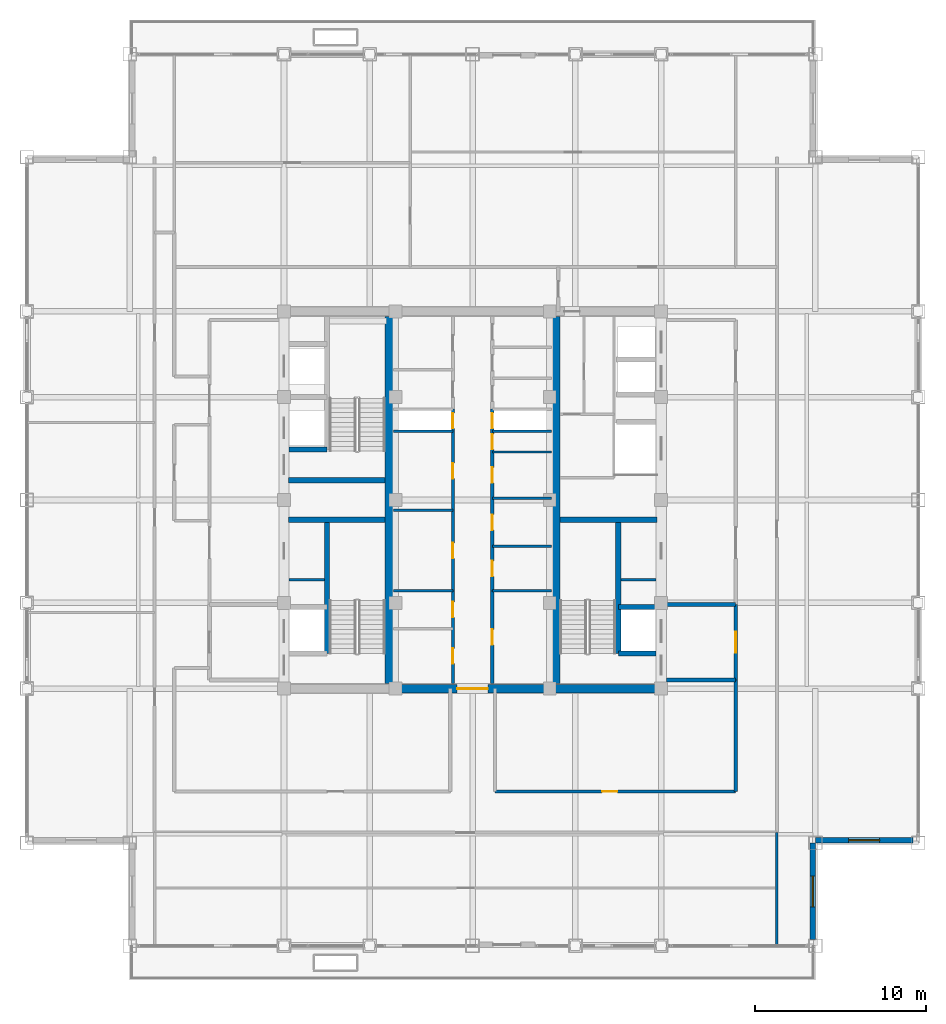
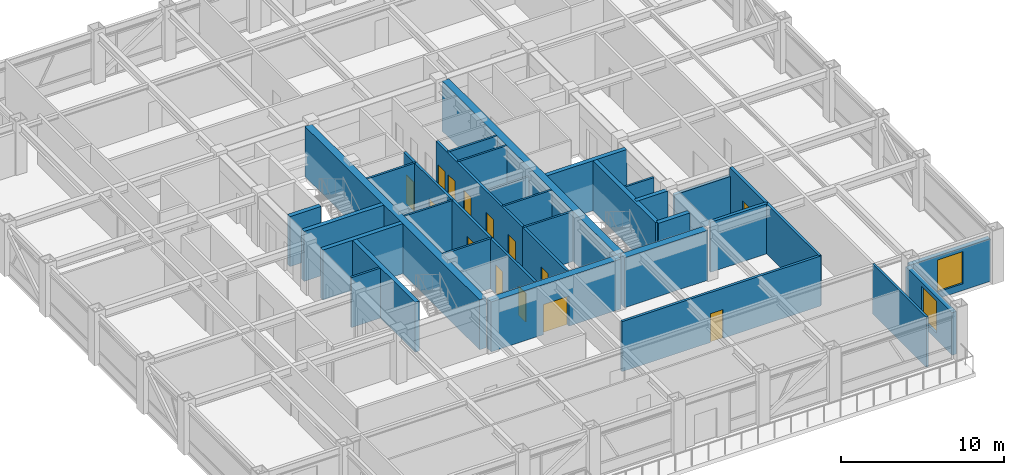
# One storey, part 25 of 30: 34 walls, 14 doors, 2 windows, 16 openings.
"""IFC4 building model written with IfcOpenShell, lengths in metres."""

from ifc_helpers import new_model, si_unit, direction, frame, frame_2d, origin, place, context, subcontext, project, spatial, rectangle, extrude, source, transform, mapped, material, layer, layer_set, type_object, element, fill, save


model = new_model("IFC4")

# Units and contexts
model_context = context("Model", 3, precision=1e-05, world=origin(), true_north=direction((0.0, 1.0)))
body_context = subcontext(model_context, "Body", "Model", "MODEL_VIEW")
ifc_project = project(units=[si_unit("LENGTHUNIT", "METRE"), si_unit("AREAUNIT", "SQUARE_METRE"), si_unit("VOLUMEUNIT", "CUBIC_METRE"), si_unit("PLANEANGLEUNIT", "RADIAN"), si_unit("MASSUNIT", "GRAM", prefix="KILO")], contexts=[model_context])

# Site, building, storey
site_placement = place(None, origin())
site = spatial("IfcSite", under=ifc_project, at=site_placement, CompositionType="ELEMENT")
building_placement = place(site_placement, origin())
building = spatial("IfcBuilding", under=site, at=building_placement, Name="Khorayat Bourse Tower", CompositionType="ELEMENT")
storey_placement = place(building_placement, frame((0.0, 0.0, 326.300048828125)))
storey = spatial("IfcBuildingStorey", under=building, at=storey_placement, Name="L77", CompositionType="ELEMENT", Elevation=326.300048828125)

# Walls
ifc_material_1 = material(Name="Concrete C52/65", Category="concrete")
ifc_layer_1 = layer(ifc_material_1, 0.5)
ifc_layer_set_1 = layer_set([ifc_layer_1], Name="Concrete C52/65")
wall_type_1 = type_object("IfcWallType", Name="WAL-CORE-500", PredefinedType="SHEAR", material=ifc_layer_set_1)
shared_shape_1 = source(origin(), body_context, "Body", "SweptSolid", [
    extrude(rectangle(XDim=21.39990234375, YDim=0.5, at=frame_2d((10.699951171875, 0.0))), origin(), (0.0, 0.0, 1.0), 3.739990234375),
])
for number, where, z_axis, x_axis, name in (
    (1, (-4.85009765625, -10.699951171875, 0.0), (0.0, 0.0, 1.0), (0.0, 1.0, 0.0), "L77 Core Shear Wall PIER-W"),
    (2, (4.85009765625, -10.699951171875, 0.0), (0.0, 0.0, 1.0), (0.0, 1.0, 0.0), "L77 Core Shear Wall PIER-E"),
):
    element("IfcWall", number, at=place(storey_placement, frame(where, z_axis=z_axis, x_axis=x_axis)), inside=storey, type_object=wall_type_1, Name=name, PredefinedType="SHEAR", context=body_context, shape_type="MappedRepresentation", body=[
        mapped(shared_shape_1, transform((0.0, 0.0, 0.0), scale=1.0)),
    ])
shared_shape_2 = source(origin(), body_context, "Body", "SweptSolid", [
    extrude(rectangle(XDim=5.89990234375, YDim=0.5, at=frame_2d((2.949951171875, 0.0))), origin(), (0.0, 0.0, 1.0), 3.739990234375),
])
wall_1_placement = place(storey_placement, frame((4.85009765625, -11.0, 0.0), z_axis=(0.0, 0.0, 1.0), x_axis=(1.0, 0.0, 0.0)))
element("IfcWall", 3, at=wall_1_placement, inside=storey, type_object=wall_type_1, Name="L77 Core Shear Wall PIER-ES", PredefinedType="SHEAR", context=body_context, shape_type="MappedRepresentation", body=[
    mapped(shared_shape_2, transform((0.0, 0.0, 0.0), scale=1.0)),
])
ifc_material_2 = material(Name="Concrete C50/60", Category="concrete")
ifc_layer_2 = layer(ifc_material_2, 0.300048828125)
ifc_layer_set_2 = layer_set([ifc_layer_2], Name="Concrete C50/60")
wall_type_2 = type_object("IfcWallType", Name="WAL-SHAFT-300", PredefinedType="SHEAR", material=ifc_layer_set_2)
shared_shape_3 = source(origin(), body_context, "Body", "SweptSolid", [
    extrude(rectangle(XDim=5.64990234375, YDim=0.300048828125, at=frame_2d((2.824951171875, 0.0))), origin(), (0.0, 0.0, 1.0), 3.739990234375),
])
for number, where, z_axis, x_axis, name in (
    (4, (-10.75, -1.14990234375, 0.0), (0.0, 0.0, 1.0), (1.0, 0.0, 0.0), "L77 Core Shear Wall ST1-DIV"),
    (5, (-10.75, 1.14990234375, 0.0), (0.0, 0.0, 1.0), (1.0, 0.0, 0.0), "L77 Core Shear Wall ST2-DIV"),
    (6, (5.10009765625, -1.14990234375, 0.0), (0.0, 0.0, 1.0), (1.0, 0.0, 0.0), "L77 Core Shear Wall ST3-DIV"),
):
    element("IfcWall", number, at=place(storey_placement, frame(where, z_axis=z_axis, x_axis=x_axis)), inside=storey, type_object=wall_type_2, Name=name, PredefinedType="SHEAR", context=body_context, shape_type="MappedRepresentation", body=[
        mapped(shared_shape_3, transform((0.0, 0.0, 0.0), scale=1.0)),
    ])

# Wall, opening, door
shared_shape_4 = source(origin(), body_context, "Body", "SweptSolid", [
    extrude(rectangle(XDim=9.2001953125, YDim=0.5, at=frame_2d((4.60009765625, 0.0))), origin(), (0.0, 0.0, 1.0), 3.739990234375),
])
wall_2_placement = place(storey_placement, frame((-4.60009765625, -11.0, 0.0), z_axis=(0.0, 0.0, 1.0), x_axis=(1.0, 0.0, 0.0)))
wall_2 = element("IfcWall", 7, at=wall_2_placement, inside=storey, type_object=wall_type_1, Name="L77 Core Shear Wall CORE-S", PredefinedType="SHEAR", context=body_context, shape_type="MappedRepresentation", body=[
    mapped(shared_shape_4, transform((0.0, 0.0, 0.0), scale=1.0)),
])
shared_shape_5 = source(origin(), body_context, "Body", "SweptSolid", [
    extrude(rectangle(XDim=1.800048828125, YDim=2.25, at=frame_2d((0.89990234375, 1.125))), frame((0.0, 0.260009765625, 0.0), z_axis=(0.0, -1.0, 0.0), x_axis=(1.0, 0.0, 0.0)), (0.0, 0.0, 1.0), 0.52001953125),
])
opening_1_placement = place(wall_2_placement, frame((3.699951171875, 0.0, 0.0)))
opening_1 = element("IfcOpeningElement", 8, at=opening_1_placement, cuts=wall_2, Name="Opening DI-03", PredefinedType="OPENING", context=body_context, shape_type="MappedRepresentation", body=[
    mapped(shared_shape_5, transform((0.0, 0.0, 0.0), scale=1.0)),
])
ifc_material_3 = material(Name="Fire-rated hardwood vision-panel double leaf", Category="wood")
door_type_1 = type_object("IfcDoorType", Name="DR-INT-CORR-1800", OperationType="NOTDEFINED", PredefinedType="DOOR", material=ifc_material_3)
shared_shape_6 = source(origin(), body_context, "Body", "SweptSolid", [
    extrude(rectangle(XDim=1.800048828125, YDim=2.25, at=frame_2d((0.89990234375, 1.125))), frame((0.0, 0.02490234375, 0.0), z_axis=(0.0, -1.0, 0.0), x_axis=(1.0, 0.0, 0.0)), (0.0, 0.0, 1.0), 0.050048828125),
])
door_1_placement = place(opening_1_placement, origin())
door_1 = element("IfcDoor", 9, at=door_1_placement, inside=storey, type_object=door_type_1, Name="L77 Central Core South Passage Door", OperationType="SINGLE_SWING_LEFT", OverallHeight=2.25, OverallWidth=1.800048828125, PredefinedType="DOOR", context=body_context, shape_type="MappedRepresentation", body=[
    mapped(shared_shape_6, transform((0.0, 0.0, 0.0), scale=1.0)),
])
fill(opening_1, door_1)

# Wall, opening, window
ifc_material_4 = material(Name="Precast concrete C45/55", Category="concrete")
ifc_layer_3 = layer(ifc_material_4, 0.320068359375)
ifc_layer_set_3 = layer_set([ifc_layer_3], Name="Precast concrete C45/55")
wall_type_3 = type_object("IfcWallType", Name="WAL-EXT-STONE-320", PredefinedType="STANDARD", material=ifc_layer_set_3)
shared_shape_7 = source(origin(), body_context, "Body", "SweptSolid", [
    extrude(rectangle(XDim=5.679931640625, YDim=0.320068359375, at=frame_2d((2.83984375, 0.0))), origin(), (0.0, 0.0, 1.0), 3.19091796875),
])
wall_3_placement = place(storey_placement, frame((19.840087890625, -25.679931640625, 0.0), z_axis=(0.0, 0.0, 1.0), x_axis=(0.0, 1.0, 0.0)))
wall_3 = element("IfcWall", 10, at=wall_3_placement, inside=storey, type_object=wall_type_3, Name="L77 Re-Entrant Notch Limestone Wall SE-V", PredefinedType="STANDARD", context=body_context, shape_type="MappedRepresentation", body=[
    mapped(shared_shape_7, transform((0.0, 0.0, 0.0), scale=1.0)),
])
shared_shape_8 = source(origin(), body_context, "Body", "SweptSolid", [
    extrude(rectangle(XDim=1.800048828125, YDim=2.39990234375, at=frame_2d((0.89990234375, 1.199951171875))), frame((0.0, 0.169921875, 0.0), z_axis=(0.0, -1.0, 0.0), x_axis=(1.0, 0.0, 0.0)), (0.0, 0.0, 1.0), 0.340087890625),
])
opening_2_placement = place(wall_3_placement, frame((1.93994140625, 0.0, 0.5)))
opening_2 = element("IfcOpeningElement", 11, at=opening_2_placement, cuts=wall_3, Name="Opening WN-04", PredefinedType="OPENING", context=body_context, shape_type="MappedRepresentation", body=[
    mapped(shared_shape_8, transform((0.0, 0.0, 0.0), scale=1.0)),
])
ifc_material_5 = material(Name="Low-E acoustic laminated double glazing", Category="glass")
window_type = type_object("IfcWindowType", Name="WIN-NOTCH-1800x2400", PartitioningType="SINGLE_PANEL", PredefinedType="WINDOW", material=ifc_material_5)
shared_shape_9 = source(origin(), body_context, "Body", "SweptSolid", [
    extrude(rectangle(XDim=1.800048828125, YDim=2.39990234375, at=frame_2d((0.89990234375, 1.199951171875))), frame((0.0, 0.030029296875, 0.0), z_axis=(0.0, -1.0, 0.0), x_axis=(1.0, 0.0, 0.0)), (0.0, 0.0, 1.0), 0.06005859375),
])
window_1_placement = place(opening_2_placement, origin())
window_1 = element("IfcWindow", 12, at=window_1_placement, inside=storey, type_object=window_type, Name="L77 Facade Window 1", OverallHeight=2.39990234375, OverallWidth=1.800048828125, PartitioningType="SINGLE_PANEL", PredefinedType="WINDOW", context=body_context, shape_type="MappedRepresentation", body=[
    mapped(shared_shape_9, transform((0.0, 0.0, 0.0), scale=1.0)),
])
fill(opening_2, window_1)

wall_4_placement = place(storey_placement, frame((20.0, -19.840087890625, 0.0), z_axis=(0.0, 0.0, 1.0), x_axis=(1.0, 0.0, 0.0)))
wall_4 = element("IfcWall", 13, at=wall_4_placement, inside=storey, type_object=wall_type_3, Name="L77 Re-Entrant Notch Limestone Wall SE-H", PredefinedType="STANDARD", context=body_context, shape_type="MappedRepresentation", body=[
    mapped(shared_shape_7, transform((0.0, 0.0, 0.0), scale=1.0)),
])
opening_3_placement = place(wall_4_placement, frame((1.93994140625, 0.0, 0.5)))
opening_3 = element("IfcOpeningElement", 14, at=opening_3_placement, cuts=wall_4, Name="Opening WN-04", PredefinedType="OPENING", context=body_context, shape_type="MappedRepresentation", body=[
    mapped(shared_shape_8, transform((0.0, 0.0, 0.0), scale=1.0)),
])
window_2_placement = place(opening_3_placement, origin())
window_2 = element("IfcWindow", 15, at=window_2_placement, inside=storey, type_object=window_type, Name="L77 Facade Window 1", OverallHeight=2.39990234375, OverallWidth=1.800048828125, PartitioningType="SINGLE_PANEL", PredefinedType="WINDOW", context=body_context, shape_type="MappedRepresentation", body=[
    mapped(shared_shape_9, transform((0.0, 0.0, 0.0), scale=1.0)),
])
fill(opening_3, window_2)

# Walls
shared_shape_10 = source(origin(), body_context, "Body", "SweptSolid", [
    extrude(rectangle(XDim=7.800048828125, YDim=0.300048828125, at=frame_2d((3.89990234375, 0.0))), origin(), (0.0, 0.0, 1.0), 3.739990234375),
])
for number, where, z_axis, x_axis, name in (
    (16, (-8.5, -8.949951171875, 0.0), (0.0, 0.0, 1.0), (0.0, 1.0, 0.0), "L77 Partition WAL-L77-WPIER-SP"),
    (17, (8.5, -8.949951171875, 0.0), (0.0, 0.0, 1.0), (0.0, 1.0, 0.0), "L77 Partition WAL-L77-EPIER-SP"),
):
    element("IfcWall", number, at=place(storey_placement, frame(where, z_axis=z_axis, x_axis=x_axis)), inside=storey, type_object=wall_type_2, Name=name, PredefinedType="SHEAR", context=body_context, shape_type="MappedRepresentation", body=[
        mapped(shared_shape_10, transform((0.0, 0.0, 0.0), scale=1.0)),
    ])
shared_shape_11 = source(origin(), body_context, "Body", "SweptSolid", [
    extrude(rectangle(XDim=2.199951171875, YDim=0.300048828125, at=frame_2d((1.10009765625, 0.0))), origin(), (0.0, 0.0, 1.0), 3.739990234375),
])
for number, where, z_axis, x_axis, name in (
    (18, (-10.699951171875, 2.949951171875, 0.0), (0.0, 0.0, 1.0), (1.0, 0.0, 0.0), "L77 Partition WAL-L77-WPIER-H1S"),
    (19, (8.5, -8.949951171875, 0.0), (0.0, 0.0, 1.0), (1.0, 0.0, 0.0), "L77 Partition WAL-L77-EPIER-FF2S"),
    (20, (8.5, -6.25, 0.0), (0.0, 0.0, 1.0), (1.0, 0.0, 0.0), "L77 Partition WAL-L77-EPIER-FF2N"),
):
    element("IfcWall", number, at=place(storey_placement, frame(where, z_axis=z_axis, x_axis=x_axis)), inside=storey, type_object=wall_type_2, Name=name, PredefinedType="SHEAR", context=body_context, shape_type="MappedRepresentation", body=[
        mapped(shared_shape_11, transform((0.0, 0.0, 0.0), scale=1.0)),
    ])
ifc_material_6 = material(Name="Gypsum plasterboard twin-frame partition")
ifc_layer_4 = layer(ifc_material_6, 0.14990234375)
ifc_layer_set_4 = layer_set([ifc_layer_4], Name="Gypsum plasterboard twin-frame partition")
wall_type_4 = type_object("IfcWallType", Name="WAL-PART-SUITE-150", PredefinedType="PARTITIONING", material=ifc_layer_set_4)
shared_shape_12 = source(origin(), body_context, "Body", "SweptSolid", [
    extrude(rectangle(XDim=2.050048828125, YDim=0.14990234375, at=frame_2d((1.02490234375, 0.0))), origin(), (0.0, 0.0, 1.0), 3.739990234375),
])
for number, where, z_axis, x_axis, name in (
    (21, (-10.699951171875, -4.64990234375, 0.0), (0.0, 0.0, 1.0), (1.0, 0.0, 0.0), "L77 Partition WAL-L77-WSRV-S0"),
    (22, (8.64990234375, -4.64990234375, 0.0), (0.0, 0.0, 1.0), (1.0, 0.0, 0.0), "L77 Partition WAL-L77-ESRV-S0"),
):
    element("IfcWall", number, at=place(storey_placement, frame(where, z_axis=z_axis, x_axis=x_axis)), inside=storey, type_object=wall_type_4, Name=name, PredefinedType="PARTITIONING", context=body_context, shape_type="MappedRepresentation", body=[
        mapped(shared_shape_12, transform((0.0, 0.0, 0.0), scale=1.0)),
    ])
ifc_material_7 = material(Name="Aerated concrete blockwork", Category="masonry")
ifc_layer_5 = layer(ifc_material_7, 0.219970703125)
ifc_layer_set_5 = layer_set([ifc_layer_5], Name="Aerated concrete blockwork")
wall_type_5 = type_object("IfcWallType", Name="WAL-PART-FF-220", PredefinedType="PARTITIONING", material=ifc_layer_set_5)
shared_shape_13 = source(origin(), body_context, "Body", "SweptSolid", [
    extrude(rectangle(XDim=4.050048828125, YDim=0.219970703125, at=frame_2d((2.02490234375, 0.0))), origin(), (0.0, 0.0, 1.0), 3.739990234375),
])
wall_5_placement = place(storey_placement, frame((11.300048828125, -10.5, 0.0), z_axis=(0.0, 0.0, 1.0), x_axis=(1.0, 0.0, 0.0)))
element("IfcWall", 23, at=wall_5_placement, inside=storey, type_object=wall_type_5, Name="L77 Partition WAL-L77-FFLE-S", PredefinedType="PARTITIONING", context=body_context, shape_type="MappedRepresentation", body=[
    mapped(shared_shape_13, transform((0.0, 0.0, 0.0), scale=1.0)),
])
shared_shape_14 = source(origin(), body_context, "Body", "SweptSolid", [
    extrude(rectangle(XDim=4.050048828125, YDim=0.219970703125, at=frame_2d((2.02490234375, 0.0))), origin(), (0.0, 0.0, 1.0), 3.1240234375),
])
wall_6_placement = place(storey_placement, frame((11.300048828125, -6.10009765625, 0.0), z_axis=(0.0, 0.0, 1.0), x_axis=(1.0, 0.0, 0.0)))
element("IfcWall", 24, at=wall_6_placement, inside=storey, type_object=wall_type_5, Name="L77 Partition WAL-L77-FFLE-N", PredefinedType="PARTITIONING", context=body_context, shape_type="MappedRepresentation", body=[
    mapped(shared_shape_14, transform((0.0, 0.0, 0.0), scale=1.0)),
])

# Wall, opening, door
shared_shape_15 = source(origin(), body_context, "Body", "SweptSolid", [
    extrude(rectangle(XDim=4.39990234375, YDim=0.219970703125, at=frame_2d((2.199951171875, 0.0))), origin(), (0.0, 0.0, 1.0), 3.739990234375),
])
wall_7_placement = place(storey_placement, frame((15.35009765625, -10.5, 0.0), z_axis=(0.0, 0.0, 1.0), x_axis=(0.0, 1.0, 0.0)))
wall_7 = element("IfcWall", 25, at=wall_7_placement, inside=storey, type_object=wall_type_5, Name="L77 Partition WAL-L77-FFLE-E", PredefinedType="PARTITIONING", context=body_context, shape_type="MappedRepresentation", body=[
    mapped(shared_shape_15, transform((0.0, 0.0, 0.0), scale=1.0)),
])
shared_shape_16 = source(origin(), body_context, "Body", "SweptSolid", [
    extrude(rectangle(XDim=1.199951171875, YDim=2.199951171875, at=frame_2d((0.60009765625, 1.10009765625))), frame((0.0, 0.119873046875, 0.0), z_axis=(0.0, -1.0, 0.0), x_axis=(1.0, 0.0, 0.0)), (0.0, 0.0, 1.0), 0.239990234375),
])
opening_4_placement = place(wall_7_placement, frame((1.60009765625, 0.0, 0.0)))
opening_4 = element("IfcOpeningElement", 26, at=opening_4_placement, cuts=wall_7, Name="Opening DI-02", PredefinedType="OPENING", context=body_context, shape_type="MappedRepresentation", body=[
    mapped(shared_shape_16, transform((0.0, 0.0, 0.0), scale=1.0)),
])
ifc_material_8 = material(Name="Fire-rated steel double-seal leaf", Category="steel")
door_type_2 = type_object("IfcDoorType", Name="DR-INT-FFLOBBY-1200", OperationType="NOTDEFINED", PredefinedType="DOOR", material=ifc_material_8)
shared_shape_17 = source(origin(), body_context, "Body", "SweptSolid", [
    extrude(rectangle(XDim=1.199951171875, YDim=2.199951171875, at=frame_2d((0.60009765625, 1.10009765625))), frame((0.0, 0.02490234375, 0.0), z_axis=(0.0, -1.0, 0.0), x_axis=(1.0, 0.0, 0.0)), (0.0, 0.0, 1.0), 0.050048828125),
])
door_2_placement = place(opening_4_placement, origin())
door_2 = element("IfcDoor", 27, at=door_2_placement, inside=storey, type_object=door_type_2, Name="L77 East Firefighting Lobby Door", OperationType="SINGLE_SWING_RIGHT", OverallHeight=2.199951171875, OverallWidth=1.199951171875, PredefinedType="DOOR", context=body_context, shape_type="MappedRepresentation", body=[
    mapped(shared_shape_17, transform((0.0, 0.0, 0.0), scale=1.0)),
])
fill(opening_4, door_2)

# Walls
shared_shape_18 = source(origin(), body_context, "Body", "SweptSolid", [
    extrude(rectangle(XDim=3.4501953125, YDim=0.14990234375, at=frame_2d((1.72509765625, 0.0))), origin(), (0.0, 0.0, 1.0), 3.739990234375),
])
for number, where, z_axis, x_axis, name in (
    (28, (-4.60009765625, 4.0, 0.0), (0.0, 0.0, 1.0), (1.0, 0.0, 0.0), "L77 Partition WAL-L77-CRSW-S"),
    (29, (1.14990234375, 4.0, 0.0), (0.0, 0.0, 1.0), (1.0, 0.0, 0.0), "L77 Partition WAL-L77-CRSE-S"),
    (30, (-4.60009765625, -5.300048828125, 0.0), (0.0, 0.0, 1.0), (1.0, 0.0, 0.0), "L77 Partition WAL-L77-FB1-NW"),
    (31, (1.14990234375, -5.300048828125, 0.0), (0.0, 0.0, 1.0), (1.0, 0.0, 0.0), "L77 Partition WAL-L77-FB1-NE"),
):
    element("IfcWall", number, at=place(storey_placement, frame(where, z_axis=z_axis, x_axis=x_axis)), inside=storey, type_object=wall_type_4, Name=name, PredefinedType="PARTITIONING", context=body_context, shape_type="MappedRepresentation", body=[
        mapped(shared_shape_18, transform((0.0, 0.0, 0.0), scale=1.0)),
    ])
ifc_material_9 = material(Name="Moisture-resistant masonry partition", Category="masonry")
ifc_layer_6 = layer(ifc_material_9, 0.139892578125)
ifc_layer_set_6 = layer_set([ifc_layer_6], Name="Moisture-resistant masonry partition")
wall_type_6 = type_object("IfcWallType", Name="WAL-PART-WET-140", PredefinedType="PARTITIONING", material=ifc_layer_set_6)
shared_shape_19 = source(origin(), body_context, "Body", "SweptSolid", [
    extrude(rectangle(XDim=3.4501953125, YDim=0.139892578125, at=frame_2d((1.72509765625, 0.0))), origin(), (0.0, 0.0, 1.0), 3.739990234375),
])
for number, where, z_axis, x_axis, name in (
    (32, (-4.60009765625, -0.60009765625, 0.0), (0.0, 0.0, 1.0), (1.0, 0.0, 0.0), "L77 Partition WAL-L77-CMW-D1"),
    (33, (1.14990234375, -2.699951171875, 0.0), (0.0, 0.0, 1.0), (1.0, 0.0, 0.0), "L77 Partition WAL-L77-CME-D1"),
    (34, (1.14990234375, 2.800048828125, 0.0), (0.0, 0.0, 1.0), (1.0, 0.0, 0.0), "L77 Partition WAL-L77-CME-D3"),
):
    element("IfcWall", number, at=place(storey_placement, frame(where, z_axis=z_axis, x_axis=x_axis)), inside=storey, type_object=wall_type_6, Name=name, PredefinedType="PARTITIONING", context=body_context, shape_type="MappedRepresentation", body=[
        mapped(shared_shape_19, transform((0.0, 0.0, 0.0), scale=1.0)),
    ])

# Wall, openings, doors
ifc_material_10 = material(Name="Gypsum plasterboard acoustic stud wall")
ifc_layer_7 = layer(ifc_material_10, 0.179931640625)
ifc_layer_set_7 = layer_set([ifc_layer_7], Name="Gypsum plasterboard acoustic stud wall")
wall_type_7 = type_object("IfcWallType", Name="WAL-PART-CORR-180", PredefinedType="PARTITIONING", material=ifc_layer_set_7)
shared_shape_20 = source(origin(), body_context, "Body", "SweptSolid", [
    extrude(rectangle(XDim=5.39990234375, YDim=0.179931640625, at=frame_2d((2.699951171875, 0.0))), origin(), (0.0, 0.0, 1.0), 3.739990234375),
])
wall_8_placement = place(storey_placement, frame((-1.14990234375, -10.699951171875, 0.0), z_axis=(0.0, 0.0, 1.0), x_axis=(0.0, 1.0, 0.0)))
wall_8 = element("IfcWall", 35, at=wall_8_placement, inside=storey, type_object=wall_type_7, Name="L77 Partition WAL-L77-FB1W-L", PredefinedType="PARTITIONING", context=body_context, shape_type="MappedRepresentation", body=[
    mapped(shared_shape_20, transform((0.0, 0.0, 0.0), scale=1.0)),
])
shared_shape_21 = source(origin(), body_context, "Body", "SweptSolid", [
    extrude(rectangle(XDim=0.89990234375, YDim=2.14990234375, at=frame_2d((0.449951171875, 1.074951171875))), frame((0.0, 0.099853515625, 0.0), z_axis=(0.0, -1.0, 0.0), x_axis=(1.0, 0.0, 0.0)), (0.0, 0.0, 1.0), 0.199951171875),
])
opening_5_placement = place(wall_8_placement, frame((1.14990234375, 0.0, 0.0)))
opening_5 = element("IfcOpeningElement", 36, at=opening_5_placement, cuts=wall_8, Name="Opening DI-06", PredefinedType="OPENING", context=body_context, shape_type="MappedRepresentation", body=[
    mapped(shared_shape_21, transform((0.0, 0.0, 0.0), scale=1.0)),
])
opening_6_placement = place(wall_8_placement, frame((3.85009765625, 0.0, 0.0)))
opening_6 = element("IfcOpeningElement", 37, at=opening_6_placement, cuts=wall_8, Name="Opening DI-06", PredefinedType="OPENING", context=body_context, shape_type="MappedRepresentation", body=[
    mapped(shared_shape_21, transform((0.0, 0.0, 0.0), scale=1.0)),
])
ifc_material_11 = material(Name="Moisture-resistant laminate washroom door")
door_type_3 = type_object("IfcDoorType", Name="DR-INT-WC-900", OperationType="NOTDEFINED", PredefinedType="DOOR", material=ifc_material_11)
shared_shape_22 = source(origin(), body_context, "Body", "SweptSolid", [
    extrude(rectangle(XDim=0.89990234375, YDim=2.14990234375, at=frame_2d((0.449951171875, 1.074951171875))), frame((0.0, 0.02490234375, 0.0), z_axis=(0.0, -1.0, 0.0), x_axis=(1.0, 0.0, 0.0)), (0.0, 0.0, 1.0), 0.050048828125),
])
door_3_placement = place(opening_5_placement, origin())
door_3 = element("IfcDoor", 38, at=door_3_placement, inside=storey, type_object=door_type_3, Name="L77 Records Vault Store Door", OperationType="SINGLE_SWING_RIGHT", OverallHeight=2.14990234375, OverallWidth=0.89990234375, PredefinedType="DOOR", context=body_context, shape_type="MappedRepresentation", body=[
    mapped(shared_shape_22, transform((0.0, 0.0, 0.0), scale=1.0)),
])
fill(opening_5, door_3)
door_4_placement = place(opening_6_placement, origin())
door_4 = element("IfcDoor", 39, at=door_4_placement, inside=storey, type_object=door_type_3, Name="L77 Sprinkler Valve Plant Room Door", OperationType="SINGLE_SWING_LEFT", OverallHeight=2.14990234375, OverallWidth=0.89990234375, PredefinedType="DOOR", context=body_context, shape_type="MappedRepresentation", body=[
    mapped(shared_shape_22, transform((0.0, 0.0, 0.0), scale=1.0)),
])
fill(opening_6, door_4)

# Wall, opening, door
wall_9_placement = place(storey_placement, frame((1.14990234375, -10.699951171875, 0.0), z_axis=(0.0, 0.0, 1.0), x_axis=(0.0, 1.0, 0.0)))
wall_9 = element("IfcWall", 40, at=wall_9_placement, inside=storey, type_object=wall_type_7, Name="L77 Partition WAL-L77-FB1E-L", PredefinedType="PARTITIONING", context=body_context, shape_type="MappedRepresentation", body=[
    mapped(shared_shape_20, transform((0.0, 0.0, 0.0), scale=1.0)),
])
opening_7_placement = place(wall_9_placement, frame((2.25, 0.0, 0.0)))
opening_7 = element("IfcOpeningElement", 41, at=opening_7_placement, cuts=wall_9, Name="Opening DI-06", PredefinedType="OPENING", context=body_context, shape_type="MappedRepresentation", body=[
    mapped(shared_shape_21, transform((0.0, 0.0, 0.0), scale=1.0)),
])
door_5_placement = place(opening_7_placement, origin())
door_5 = element("IfcDoor", 42, at=door_5_placement, inside=storey, type_object=door_type_3, Name="L77 Telemetry Server Plant Room Door", OperationType="SINGLE_SWING_RIGHT", OverallHeight=2.14990234375, OverallWidth=0.89990234375, PredefinedType="DOOR", context=body_context, shape_type="MappedRepresentation", body=[
    mapped(shared_shape_22, transform((0.0, 0.0, 0.0), scale=1.0)),
])
fill(opening_7, door_5)

# Wall, openings, doors
shared_shape_23 = source(origin(), body_context, "Body", "SweptSolid", [
    extrude(rectangle(XDim=10.60009765625, YDim=0.179931640625, at=frame_2d((5.300048828125, 0.0))), origin(), (0.0, 0.0, 1.0), 3.739990234375),
])
wall_10_placement = place(storey_placement, frame((-1.14990234375, -5.300048828125, 0.0), z_axis=(0.0, 0.0, 1.0), x_axis=(0.0, 1.0, 0.0)))
wall_10 = element("IfcWall", 43, at=wall_10_placement, inside=storey, type_object=wall_type_7, Name="L77 Partition WAL-L77-CMW-L", PredefinedType="PARTITIONING", context=body_context, shape_type="MappedRepresentation", body=[
    mapped(shared_shape_23, transform((0.0, 0.0, 0.0), scale=1.0)),
])
opening_8_placement = place(wall_10_placement, frame((1.89990234375, 0.0, 0.0)))
opening_8 = element("IfcOpeningElement", 44, at=opening_8_placement, cuts=wall_10, Name="Opening DI-06", PredefinedType="OPENING", context=body_context, shape_type="MappedRepresentation", body=[
    mapped(shared_shape_21, transform((0.0, 0.0, 0.0), scale=1.0)),
])
opening_9_placement = place(wall_10_placement, frame((6.550048828125, 0.0, 0.0)))
opening_9 = element("IfcOpeningElement", 45, at=opening_9_placement, cuts=wall_10, Name="Opening DI-06", PredefinedType="OPENING", context=body_context, shape_type="MappedRepresentation", body=[
    mapped(shared_shape_21, transform((0.0, 0.0, 0.0), scale=1.0)),
])
opening_10_placement = place(wall_10_placement, frame((9.47509765625, 0.0, 0.0)))
opening_10 = element("IfcOpeningElement", 46, at=opening_10_placement, cuts=wall_10, Name="Opening DI-06", PredefinedType="OPENING", context=body_context, shape_type="MappedRepresentation", body=[
    mapped(shared_shape_21, transform((0.0, 0.0, 0.0), scale=1.0)),
])
door_6_placement = place(opening_8_placement, origin())
door_6 = element("IfcDoor", 47, at=door_6_placement, inside=storey, type_object=door_type_3, Name="L77 Male Core Washroom Door", OperationType="SINGLE_SWING_RIGHT", OverallHeight=2.14990234375, OverallWidth=0.89990234375, PredefinedType="DOOR", context=body_context, shape_type="MappedRepresentation", body=[
    mapped(shared_shape_22, transform((0.0, 0.0, 0.0), scale=1.0)),
])
fill(opening_8, door_6)
door_7_placement = place(opening_9_placement, origin())
door_7 = element("IfcDoor", 48, at=door_7_placement, inside=storey, type_object=door_type_3, Name="L77 Chilled Water Riser Plant Room Door", OperationType="SINGLE_SWING_LEFT", OverallHeight=2.14990234375, OverallWidth=0.89990234375, PredefinedType="DOOR", context=body_context, shape_type="MappedRepresentation", body=[
    mapped(shared_shape_22, transform((0.0, 0.0, 0.0), scale=1.0)),
])
fill(opening_9, door_7)
door_8_placement = place(opening_10_placement, origin())
door_8 = element("IfcDoor", 49, at=door_8_placement, inside=storey, type_object=door_type_3, Name="L77 West Core Riser Door", OperationType="SINGLE_SWING_LEFT", OverallHeight=2.14990234375, OverallWidth=0.89990234375, PredefinedType="DOOR", context=body_context, shape_type="MappedRepresentation", body=[
    mapped(shared_shape_22, transform((0.0, 0.0, 0.0), scale=1.0)),
])
fill(opening_10, door_8)

wall_11_placement = place(storey_placement, frame((1.14990234375, -5.300048828125, 0.0), z_axis=(0.0, 0.0, 1.0), x_axis=(0.0, 1.0, 0.0)))
wall_11 = element("IfcWall", 50, at=wall_11_placement, inside=storey, type_object=wall_type_7, Name="L77 Partition WAL-L77-CME-L", PredefinedType="PARTITIONING", context=body_context, shape_type="MappedRepresentation", body=[
    mapped(shared_shape_23, transform((0.0, 0.0, 0.0), scale=1.0)),
])
opening_11_placement = place(wall_11_placement, frame((0.85009765625, 0.0, 0.0)))
opening_11 = element("IfcOpeningElement", 51, at=opening_11_placement, cuts=wall_11, Name="Opening DI-06", PredefinedType="OPENING", context=body_context, shape_type="MappedRepresentation", body=[
    mapped(shared_shape_21, transform((0.0, 0.0, 0.0), scale=1.0)),
])
opening_12_placement = place(wall_11_placement, frame((3.550048828125, 0.0, 0.0)))
opening_12 = element("IfcOpeningElement", 52, at=opening_12_placement, cuts=wall_11, Name="Opening DI-06", PredefinedType="OPENING", context=body_context, shape_type="MappedRepresentation", body=[
    mapped(shared_shape_21, transform((0.0, 0.0, 0.0), scale=1.0)),
])
opening_13_placement = place(wall_11_placement, frame((6.300048828125, 0.0, 0.0)))
opening_13 = element("IfcOpeningElement", 53, at=opening_13_placement, cuts=wall_11, Name="Opening DI-06", PredefinedType="OPENING", context=body_context, shape_type="MappedRepresentation", body=[
    mapped(shared_shape_21, transform((0.0, 0.0, 0.0), scale=1.0)),
])
opening_14_placement = place(wall_11_placement, frame((8.25, 0.0, 0.0)))
opening_14 = element("IfcOpeningElement", 54, at=opening_14_placement, cuts=wall_11, Name="Opening DI-06", PredefinedType="OPENING", context=body_context, shape_type="MappedRepresentation", body=[
    mapped(shared_shape_21, transform((0.0, 0.0, 0.0), scale=1.0)),
])
opening_15_placement = place(wall_11_placement, frame((9.47509765625, 0.0, 0.0)))
opening_15 = element("IfcOpeningElement", 55, at=opening_15_placement, cuts=wall_11, Name="Opening DI-06", PredefinedType="OPENING", context=body_context, shape_type="MappedRepresentation", body=[
    mapped(shared_shape_21, transform((0.0, 0.0, 0.0), scale=1.0)),
])
door_9_placement = place(opening_11_placement, origin())
door_9 = element("IfcDoor", 56, at=door_9_placement, inside=storey, type_object=door_type_3, Name="L77 Female Core Washroom Door", OperationType="SINGLE_SWING_RIGHT", OverallHeight=2.14990234375, OverallWidth=0.89990234375, PredefinedType="DOOR", context=body_context, shape_type="MappedRepresentation", body=[
    mapped(shared_shape_22, transform((0.0, 0.0, 0.0), scale=1.0)),
])
fill(opening_11, door_9)
door_10_placement = place(opening_12_placement, origin())
door_10 = element("IfcDoor", 57, at=door_10_placement, inside=storey, type_object=door_type_3, Name="L77 Comms Patch Room Door", OperationType="SINGLE_SWING_LEFT", OverallHeight=2.14990234375, OverallWidth=0.89990234375, PredefinedType="DOOR", context=body_context, shape_type="MappedRepresentation", body=[
    mapped(shared_shape_22, transform((0.0, 0.0, 0.0), scale=1.0)),
])
fill(opening_12, door_10)
door_11_placement = place(opening_13_placement, origin())
door_11 = element("IfcDoor", 58, at=door_11_placement, inside=storey, type_object=door_type_3, Name="L77 Janitor Cupboard Door", OperationType="SINGLE_SWING_RIGHT", OverallHeight=2.14990234375, OverallWidth=0.89990234375, PredefinedType="DOOR", context=body_context, shape_type="MappedRepresentation", body=[
    mapped(shared_shape_22, transform((0.0, 0.0, 0.0), scale=1.0)),
])
fill(opening_13, door_11)
door_12_placement = place(opening_14_placement, origin())
door_12 = element("IfcDoor", 59, at=door_12_placement, inside=storey, type_object=door_type_3, Name="L77 Fire Valve Plant Room Door", OperationType="SINGLE_SWING_LEFT", OverallHeight=2.14990234375, OverallWidth=0.89990234375, PredefinedType="DOOR", context=body_context, shape_type="MappedRepresentation", body=[
    mapped(shared_shape_22, transform((0.0, 0.0, 0.0), scale=1.0)),
])
fill(opening_14, door_12)
door_13_placement = place(opening_15_placement, origin())
door_13 = element("IfcDoor", 60, at=door_13_placement, inside=storey, type_object=door_type_3, Name="L77 East Core Riser Door", OperationType="SINGLE_SWING_RIGHT", OverallHeight=2.14990234375, OverallWidth=0.89990234375, PredefinedType="DOOR", context=body_context, shape_type="MappedRepresentation", body=[
    mapped(shared_shape_22, transform((0.0, 0.0, 0.0), scale=1.0)),
])
fill(opening_15, door_13)

# Wall
shared_shape_24 = source(origin(), body_context, "Body", "SweptSolid", [
    extrude(rectangle(XDim=3.4501953125, YDim=0.139892578125, at=frame_2d((1.72509765625, 0.0))), origin(), (0.0, 0.0, 1.0), 3.044921875),
])
wall_12_placement = place(storey_placement, frame((1.14990234375, 0.10009765625, 0.0), z_axis=(0.0, 0.0, 1.0), x_axis=(1.0, 0.0, 0.0)))
element("IfcWall", 61, at=wall_12_placement, inside=storey, type_object=wall_type_6, Name="L77 Partition WAL-L77-CME-D2", PredefinedType="PARTITIONING", context=body_context, shape_type="MappedRepresentation", body=[
    mapped(shared_shape_24, transform((0.0, 0.0, 0.0), scale=1.0)),
])

# Wall, opening, door
shared_shape_25 = source(origin(), body_context, "Body", "SweptSolid", [
    extrude(rectangle(XDim=14.050048828125, YDim=0.179931640625, at=frame_2d((7.02490234375, 0.0))), origin(), (0.0, 0.0, 1.0), 3.739990234375),
])
wall_13_placement = place(storey_placement, frame((1.300048828125, -17.0, 0.0), z_axis=(0.0, 0.0, 1.0), x_axis=(1.0, 0.0, 0.0)))
wall_13 = element("IfcWall", 62, at=wall_13_placement, inside=storey, type_object=wall_type_7, Name="L77 Partition WAL-L77-PKSE-S", PredefinedType="PARTITIONING", context=body_context, shape_type="MappedRepresentation", body=[
    mapped(shared_shape_25, transform((0.0, 0.0, 0.0), scale=1.0)),
])
opening_16_placement = place(wall_13_placement, frame((6.25, 0.0, 0.0)))
opening_16 = element("IfcOpeningElement", 63, at=opening_16_placement, cuts=wall_13, Name="Opening DI-06", PredefinedType="OPENING", context=body_context, shape_type="MappedRepresentation", body=[
    mapped(shared_shape_21, transform((0.0, 0.0, 0.0), scale=1.0)),
])
door_14_placement = place(opening_16_placement, origin())
door_14 = element("IfcDoor", 64, at=door_14_placement, inside=storey, type_object=door_type_3, Name="L77 SE Inboard Study Door", OperationType="SINGLE_SWING_RIGHT", OverallHeight=2.14990234375, OverallWidth=0.89990234375, PredefinedType="DOOR", context=body_context, shape_type="MappedRepresentation", body=[
    mapped(shared_shape_22, transform((0.0, 0.0, 0.0), scale=1.0)),
])
fill(opening_16, door_14)

# Walls
shared_shape_26 = source(origin(), body_context, "Body", "SweptSolid", [
    extrude(rectangle(XDim=6.5, YDim=0.179931640625, at=frame_2d((3.25, 0.0))), origin(), (0.0, 0.0, 1.0), 3.739990234375),
])
wall_14_placement = place(storey_placement, frame((15.35009765625, -17.0, 0.0), z_axis=(0.0, 0.0, 1.0), x_axis=(0.0, 1.0, 0.0)))
element("IfcWall", 65, at=wall_14_placement, inside=storey, type_object=wall_type_7, Name="L77 Partition WAL-L77-PKSE-E", PredefinedType="PARTITIONING", context=body_context, shape_type="MappedRepresentation", body=[
    mapped(shared_shape_26, transform((0.0, 0.0, 0.0), scale=1.0)),
])
shared_shape_27 = source(origin(), body_context, "Body", "SweptSolid", [
    extrude(rectangle(XDim=6.60009765625, YDim=0.14990234375, at=frame_2d((3.300048828125, 0.0))), origin(), (0.0, 0.0, 1.0), 3.739990234375),
])
wall_15_placement = place(storey_placement, frame((17.75, -26.0, 0.0), z_axis=(0.0, 0.0, 1.0), x_axis=(0.0, 1.0, 0.0)))
element("IfcWall", 66, at=wall_15_placement, inside=storey, type_object=wall_type_4, Name="L77 Partition WAL-L77-SCE-END", PredefinedType="PARTITIONING", context=body_context, shape_type="MappedRepresentation", body=[
    mapped(shared_shape_27, transform((0.0, 0.0, 0.0), scale=1.0)),
])

save(model, "model.ifc")
